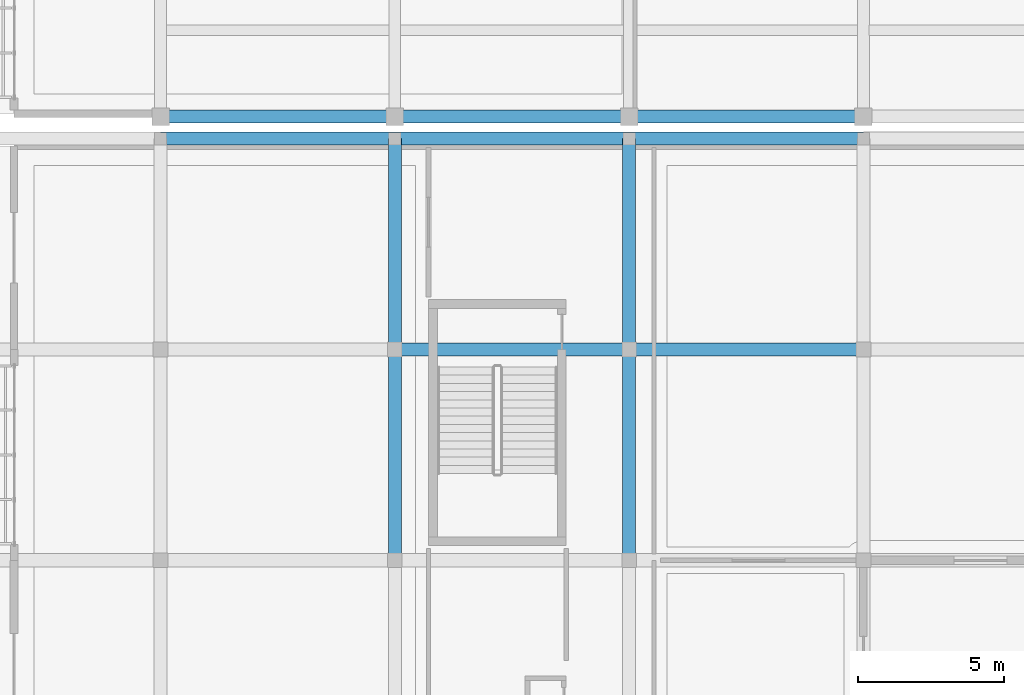
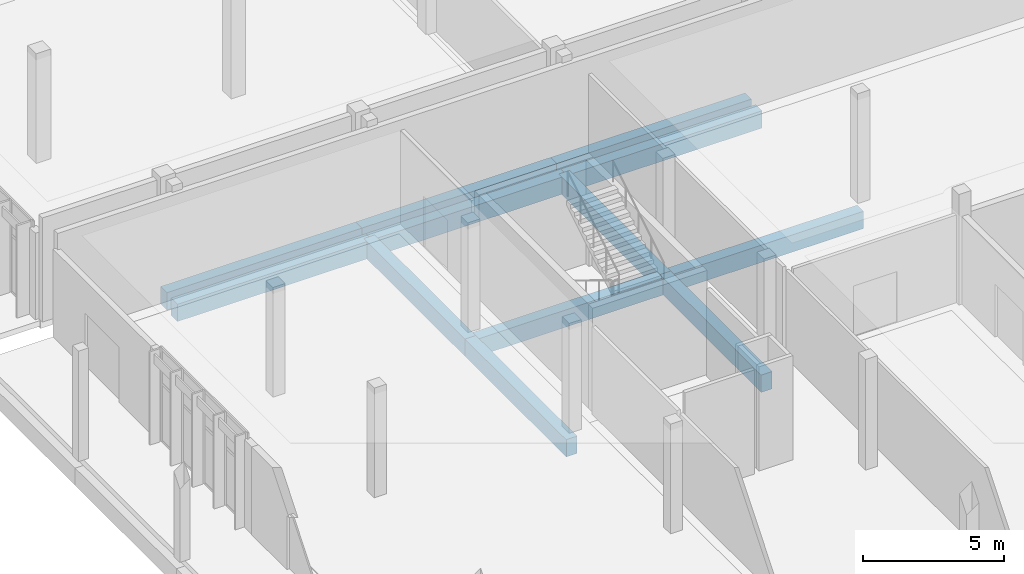
# One storey, part 53 of 151: 12 beams.
"""IFC4 building model written with IfcOpenShell, lengths in metres."""

import ifcopenshell
import ifcopenshell.guid

model = None  # the IFC model being written
_history = None  # IfcOwnerHistory: only IFC2X3 demands one
_inside = {}  # id of a spatial element -> (the spatial element, [elements in it])
_under = {}  # id of a project, library or spatial element -> (it, [spatial elements below it])
_declared = {}  # id of a project -> (the project, [libraries it declares])
_typed = {}  # id of a type object -> (the type object, [elements of that type])
_made_of = {}  # id of a material, layer set ... -> (it, [elements and type objects made of it])


def new_model(schema):
    """Start an empty IFC model of exactly this schema.

    Asked for "IFC4X3", IfcOpenShell would pick the latest addendum, in which some entities
    have other attributes; the version numbers below select the first issue.
    IFC2X3 requires an IfcOwnerHistory on every rooted entity: one is made here for all.
    """
    global model, _history
    if schema == "IFC4X3":
        model = ifcopenshell.file(schema_version=(4, 3, 0, 0))
    else:
        model = ifcopenshell.file(schema=schema)
    _inside.clear()
    _under.clear()
    _declared.clear()
    _typed.clear()
    _made_of.clear()
    _history = None
    if model.schema == "IFC2X3":
        org = make("IfcOrganization", Name="unknown")
        user = make(
            "IfcPersonAndOrganization",
            ThePerson=make("IfcPerson", FamilyName="unknown"),
            TheOrganization=org,
        )
        app = make(
            "IfcApplication",
            ApplicationDeveloper=org,
            Version="unknown",
            ApplicationFullName="unknown",
            ApplicationIdentifier="unknown",
        )
        _history = make(
            "IfcOwnerHistory",
            OwningUser=user,
            OwningApplication=app,
            ChangeAction="ADDED",
            CreationDate=0,
        )
    return model


def make(cls, **values):
    """One entity of the class cls with the attributes given. An attribute that is None is left unset."""
    return model.create_entity(
        cls, **{name: value for name, value in values.items() if value is not None}
    )


def rooted(cls, **values):
    """An entity with a GlobalId (a new one), such as an element, a storey or a relation."""
    return make(cls, GlobalId=ifcopenshell.guid.new(), OwnerHistory=_history, **values)


def si_unit(unit_type, name, prefix=None):
    """IfcSIUnit, for example si_unit("LENGTHUNIT", "METRE", prefix="MILLI")."""
    return make("IfcSIUnit", UnitType=unit_type, Prefix=prefix, Name=name)


def assignment(units):
    """IfcUnitAssignment: the units of a project."""
    return None if units is None else make("IfcUnitAssignment", Units=units)


def point(xyz):
    """IfcCartesianPoint."""
    return None if xyz is None else make("IfcCartesianPoint", Coordinates=xyz)


def direction(xyz):
    """IfcDirection."""
    return None if xyz is None else make("IfcDirection", DirectionRatios=xyz)


def frame(location, z_axis=None, x_axis=None):
    """IfcAxis2Placement3D, a coordinate frame: its origin and axes. An axis left out is left unset."""
    return make(
        "IfcAxis2Placement3D",
        Location=point(location),
        Axis=direction(z_axis),
        RefDirection=direction(x_axis),
    )


def frame_2d(location, x_axis=None):
    """IfcAxis2Placement2D, a coordinate frame in the plane: its origin and x axis."""
    return make(
        "IfcAxis2Placement2D", Location=point(location), RefDirection=direction(x_axis)
    )


def origin():
    """The frame at (0, 0, 0) with its axes left unset."""
    return frame((0.0, 0.0, 0.0))


def origin_2d():
    """The frame at (0, 0) in the plane with its x axis left unset."""
    return frame_2d((0.0, 0.0))


def place(relative_to, where):
    """IfcLocalPlacement: puts the frame where relative to a parent placement (None: the world)."""
    return make(
        "IfcLocalPlacement", PlacementRelTo=relative_to, RelativePlacement=where
    )


def context(
    kind, dimensions, precision=None, world=None, true_north=None, identifier=None
):
    """IfcGeometricRepresentationContext, for example the 3D "Model" context."""
    return make(
        "IfcGeometricRepresentationContext",
        ContextIdentifier=identifier,
        ContextType=kind,
        CoordinateSpaceDimension=dimensions,
        Precision=precision,
        WorldCoordinateSystem=world,
        TrueNorth=true_north,
    )


def subcontext(parent, identifier, kind, view, scale=None):
    """IfcGeometricRepresentationSubContext, for example "Body" below "Model"."""
    return make(
        "IfcGeometricRepresentationSubContext",
        ContextIdentifier=identifier,
        ContextType=kind,
        ParentContext=parent,
        TargetScale=scale,
        TargetView=view,
    )


def project(units=None, contexts=None):
    """IfcProject with its units and contexts."""
    return rooted(
        "IfcProject",
        Name="project",
        RepresentationContexts=contexts,
        UnitsInContext=assignment(units),
    )


def spatial(cls, under=None, at=None, **own):
    """A site, building, storey or space (cls), placed at a placement, below another one or the project."""
    s = rooted(cls, ObjectPlacement=at, **own)
    if under is not None:
        _under.setdefault(under.id(), (under, []))[1].append(s)
    return s


def profile(cls, at=None, kind="AREA", **sizes):
    """A parametric profile (cls). Its sizes go by their IFC names, for example OverallWidth=200.0."""
    return make(cls, ProfileType=kind, Position=at, **sizes)


def rectangle(**sizes):
    """IfcRectangleProfileDef."""
    return profile("IfcRectangleProfileDef", **sizes)


def extrude(swept, where, along, depth):
    """IfcExtrudedAreaSolid: the profile swept, set in the frame where, extruded along a direction by depth."""
    return make(
        "IfcExtrudedAreaSolid",
        SweptArea=swept,
        Position=where,
        ExtrudedDirection=direction(along),
        Depth=depth,
    )


def shape(context_of_items, identifier, shape_type, items):
    """IfcShapeRepresentation: the items that make up one representation, for example the "Body"."""
    return make(
        "IfcShapeRepresentation",
        ContextOfItems=context_of_items,
        RepresentationIdentifier=identifier,
        RepresentationType=shape_type,
        Items=items,
    )


def material(Name=None, Category=None):
    """IfcMaterial."""
    return make("IfcMaterial", Name=Name, Category=Category)


def material_profile(
    of_material, cross_section, Name=None, Category=None, Priority=None
):
    """IfcMaterialProfile: a cross section and its material."""
    return make(
        "IfcMaterialProfile",
        Name=Name,
        Material=of_material,
        Profile=cross_section,
        Priority=Priority,
        Category=Category,
    )


def profile_set(profiles, Name=None, composite=None):
    """IfcMaterialProfileSet."""
    return make(
        "IfcMaterialProfileSet",
        Name=Name,
        MaterialProfiles=profiles,
        CompositeProfile=composite,
    )


def made_of(thing, what):
    """Note that an element or type object is made of a material, layer set ...; save() writes the relation."""
    if what is not None:
        _made_of.setdefault(what.id(), (what, []))[1].append(thing)
    return thing


def type_object(cls, material=None, **own):
    """A type object (cls), such as IfcWallType, which elements share."""
    return made_of(rooted(cls, **own), material)


def element(
    cls,
    number,
    at=None,
    inside=None,
    cuts=None,
    type_object=None,
    material=None,
    context=None,
    identifier="Body",
    shape_type=None,
    held_by="IfcProductDefinitionShape",
    body=None,
    shapes=None,
    **own,
):
    """One element of the class cls, such as IfcWall. Its Tag is "e" and its number.

    at: its placement. inside: the storey or other place that contains it. cuts: it is an
    opening in that element (IfcRelVoidsElement). A single representation is given by context,
    identifier, shape_type and body (its items); several are given by shapes. held_by: the class
    of the entity that holds the representations. save() writes the other relations.
    """
    e = rooted(cls, Tag="e%d" % number, ObjectPlacement=at, **own)
    if body is not None:
        shapes = [shape(context, identifier, shape_type, body)]
    if shapes is not None:
        e.Representation = make(held_by, Representations=shapes)
    if inside is not None:
        _inside.setdefault(inside.id(), (inside, []))[1].append(e)
    if cuts is not None:
        rooted(
            "IfcRelVoidsElement", RelatingBuildingElement=cuts, RelatedOpeningElement=e
        )
    if type_object is not None:
        _typed.setdefault(type_object.id(), (type_object, []))[1].append(e)
    return made_of(e, material)


def aggregate(whole, parts):
    """IfcRelAggregates: a whole, such as a stair, and the parts it consists of."""
    return rooted("IfcRelAggregates", RelatingObject=whole, RelatedObjects=parts)


def save(model, path):
    """Write the relations noted so far, then the file.

    IfcRelAggregates (storeys below a building ...), IfcRelContainedInSpatialStructure (elements
    in a storey), IfcRelDefinesByType, IfcRelAssociatesMaterial and IfcRelDeclares: one each for
    every whole, place, type object, material and project.
    """
    for whole, parts in _under.values():
        aggregate(whole, parts)
    for where, things in _inside.values():
        rooted(
            "IfcRelContainedInSpatialStructure",
            RelatedElements=things,
            RelatingStructure=where,
        )
    for kind, things in _typed.values():
        rooted("IfcRelDefinesByType", RelatedObjects=things, RelatingType=kind)
    for what, things in _made_of.values():
        rooted("IfcRelAssociatesMaterial", RelatedObjects=things, RelatingMaterial=what)
    for by, libraries in _declared.values():
        rooted("IfcRelDeclares", RelatingContext=by, RelatedDefinitions=libraries)
    model.write(path)


model = new_model("IFC4")

# Units and contexts
model_context = context("Model", 3, precision=1e-05, world=origin(), true_north=direction((0.0, 1.0)))
body_context = subcontext(model_context, "Body", "Model", "MODEL_VIEW")
ifc_project = project(units=[si_unit("LENGTHUNIT", "METRE"), si_unit("AREAUNIT", "SQUARE_METRE"), si_unit("VOLUMEUNIT", "CUBIC_METRE"), si_unit("PLANEANGLEUNIT", "RADIAN"), si_unit("MASSUNIT", "GRAM", prefix="KILO")], contexts=[model_context])

# Site, building, storey
site_placement = place(None, origin())
site = spatial("IfcSite", under=ifc_project, at=site_placement, CompositionType="ELEMENT")
building_placement = place(site_placement, origin())
building = spatial("IfcBuilding", under=site, at=building_placement, Name="Chiffa Square Polytechnic", CompositionType="ELEMENT")
storey_placement = place(building_placement, origin())
storey = spatial("IfcBuildingStorey", under=building, at=storey_placement, Name="L00", CompositionType="ELEMENT", Elevation=0.0)

# Beams
ifc_material = material(Name="Concrete C35/45", Category="concrete")
ifc_material_profile_1 = material_profile(ifc_material, rectangle(XDim=0.449951171875, YDim=0.75, at=origin_2d()), Name="RC 450x750")
ifc_profile_set_1 = profile_set([ifc_material_profile_1], Name="Concrete C35/45")
beam_type_1 = type_object("IfcBeamType", Name="BM-RC-450X750", PredefinedType="BEAM", material=ifc_profile_set_1)
for number, where, z_axis, x_axis, name in (
    (1, (8.0, 94.949951171875, -0.72509765625), (1.0, 0.0, 0.0), (0.0, 1.0, 0.0), "Primary floor girder BM-V5-L00-X-0080-0950"),
    (2, (16.0, 94.949951171875, -0.72509765625), (1.0, 0.0, 0.0), (0.0, 1.0, 0.0), "Primary floor girder BM-V5-L00-X-0160-0950"),
    (3, (24.0, 94.949951171875, -0.72509765625), (1.0, 0.0, 0.0), (0.0, 1.0, 0.0), "Primary floor girder BM-V5-L00-X-0240-0950"),
):
    element("IfcBeam", number, at=place(storey_placement, frame(where, z_axis=z_axis, x_axis=x_axis)), inside=storey, type_object=beam_type_1, Name=name, PredefinedType="BEAM", context=body_context, shape_type="SweptSolid", body=[
        extrude(rectangle(XDim=0.449951171875, YDim=0.75, at=origin_2d()), origin(), (0.0, 0.0, 1.0), 8.0),
    ])
ifc_material_profile_2 = material_profile(ifc_material, rectangle(XDim=0.449951171875, YDim=0.75, at=origin_2d()), Name="RC 450x750")
ifc_profile_set_2 = profile_set([ifc_material_profile_2], Name="Concrete C35/45")
beam_type_2 = type_object("IfcBeamType", Name="GB-RC-450X750", PredefinedType="BEAM", material=ifc_profile_set_2)
for number, where, z_axis, x_axis, name in (
    (4, (16.0, 87.0, -0.77490234375), (1.0, 0.0, 0.0), (0.0, 1.0, 0.0), "Ground tie beam GB-V6-X-185"),
    (5, (24.0, 87.0, -0.77490234375), (1.0, 0.0, 0.0), (0.0, 1.0, 0.0), "Ground tie beam GB-V6-X-186"),
    (6, (8.0, 94.199951171875, -0.77490234375), (1.0, 0.0, 0.0), (0.0, 1.0, 0.0), "Ground tie beam GB-V6-X-190"),
    (7, (16.0, 94.199951171875, -0.77490234375), (1.0, 0.0, 0.0), (0.0, 1.0, 0.0), "Ground tie beam GB-V6-X-191"),
    (8, (24.0, 94.199951171875, -0.77490234375), (1.0, 0.0, 0.0), (0.0, 1.0, 0.0), "Ground tie beam GB-V6-X-192"),
):
    element("IfcBeam", number, at=place(storey_placement, frame(where, z_axis=z_axis, x_axis=x_axis)), inside=storey, type_object=beam_type_2, Name=name, PredefinedType="BEAM", context=body_context, shape_type="SweptSolid", body=[
        extrude(rectangle(XDim=0.449951171875, YDim=0.75, at=origin_2d()), origin(), (0.0, 0.0, 1.0), 8.0),
    ])
for number, where, z_axis, x_axis, name in (
    (9, (16.0, 79.800048828125, -0.77490234375), (0.0, 1.0, 0.0), (-1.0, 0.0, 0.0), "Ground tie beam GB-V6-Y-217"),
    (10, (16.0, 87.0, -0.77490234375), (0.0, 1.0, 0.0), (-1.0, 0.0, 0.0), "Ground tie beam GB-V6-Y-218"),
    (11, (24.0, 79.800048828125, -0.77490234375), (0.0, 1.0, 0.0), (-1.0, 0.0, 0.0), "Ground tie beam GB-V6-Y-225"),
    (12, (24.0, 87.0, -0.77490234375), (0.0, 1.0, 0.0), (-1.0, 0.0, 0.0), "Ground tie beam GB-V6-Y-226"),
):
    element("IfcBeam", number, at=place(storey_placement, frame(where, z_axis=z_axis, x_axis=x_axis)), inside=storey, type_object=beam_type_2, Name=name, PredefinedType="BEAM", context=body_context, shape_type="SweptSolid", body=[
        extrude(rectangle(XDim=0.449951171875, YDim=0.75, at=origin_2d()), origin(), (0.0, 0.0, 1.0), 7.199951171875),
    ])

save(model, "model.ifc")
